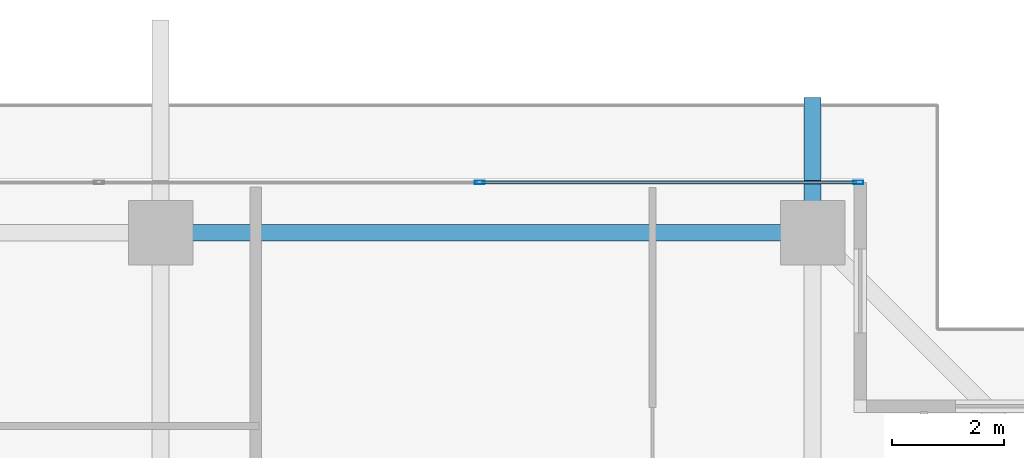
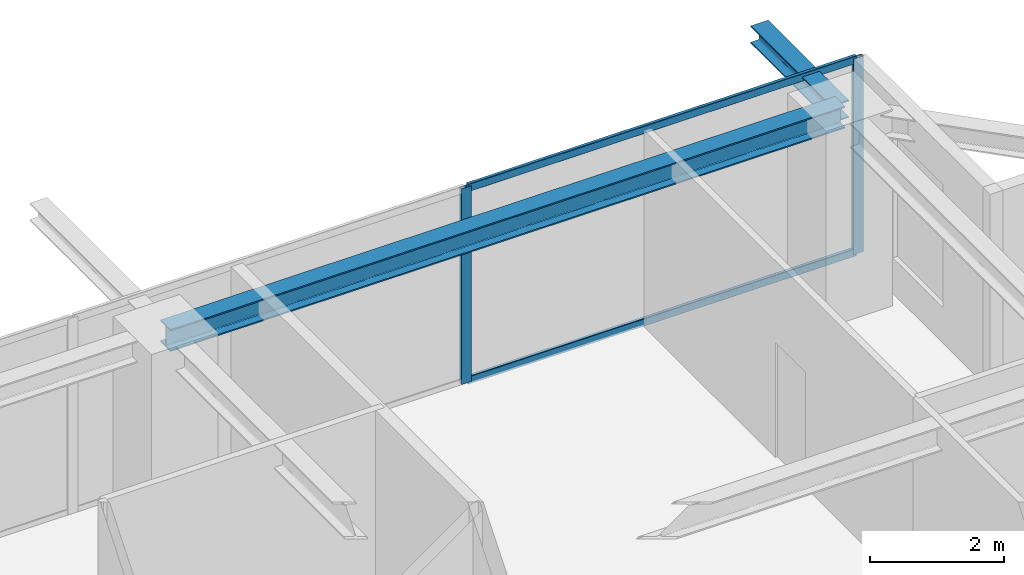
# One storey, part 24 of 38: 4 members, 2 beams, 1 element without a shape of its own.
"""IFC4 building model written with IfcOpenShell, lengths in metres."""

from ifc_helpers import new_model, si_unit, direction, frame, origin, origin_2d, place, context, subcontext, project, spatial, hollow_rectangle, i_section, extrude, source, transform, mapped, material, layer, layer_set, material_profile, profile_set, type_object, element, aggregate, save


model = new_model("IFC4")

# Units and contexts
model_context = context("Model", 3, precision=1e-05, world=origin(), true_north=direction((0.0, 1.0)))
body_context = subcontext(model_context, "Body", "Model", "MODEL_VIEW")
ifc_project = project(units=[si_unit("LENGTHUNIT", "METRE"), si_unit("AREAUNIT", "SQUARE_METRE"), si_unit("VOLUMEUNIT", "CUBIC_METRE"), si_unit("PLANEANGLEUNIT", "RADIAN"), si_unit("MASSUNIT", "GRAM", prefix="KILO")], contexts=[model_context])

# Site, building, storey
site_placement = place(None, origin())
site = spatial("IfcSite", under=ifc_project, at=site_placement, CompositionType="ELEMENT")
building_placement = place(site_placement, origin())
building = spatial("IfcBuilding", under=site, at=building_placement, Name="Serunith Strait Residences", CompositionType="ELEMENT")
storey_placement = place(building_placement, frame((0.0, 0.0, 245.10009765625)))
storey = spatial("IfcBuildingStorey", under=building, at=storey_placement, Name="L61", CompositionType="ELEMENT", Elevation=245.10009765625)

# Beams
ifc_material_1 = material(Name="Steel S355J2", Category="steel")
ifc_material_profile_1 = material_profile(ifc_material_1, i_section(OverallWidth=0.300048828125, OverallDepth=0.39990234375, WebThickness=0.013427734375, FlangeThickness=0.02392578125, FilletRadius=0.027099609375, at=origin_2d()), Name="HEB 400")
ifc_profile_set_1 = profile_set([ifc_material_profile_1], Name="Steel S355J2")
beam_type_1 = type_object("IfcBeamType", Name="BM-HEB400", PredefinedType="BEAM", material=ifc_profile_set_1)
shared_shape_1 = source(origin(), body_context, "Body", "SweptSolid", [
    extrude(i_section(OverallWidth=0.300048828125, OverallDepth=0.39990234375, WebThickness=0.013427734375, FlangeThickness=0.02392578125, FilletRadius=0.027099609375, at=origin_2d()), origin(), (0.0, 0.0, 1.0), 11.650146484375),
])
beam_1_placement = place(storey_placement, frame((48.550048828125, 48.300048828125, 3.386962890625), z_axis=(-1.0, 0.0, 0.0), x_axis=(0.0, -1.0, 0.0)))
element("IfcBeam", 1, at=beam_1_placement, inside=storey, type_object=beam_type_1, Name="L61 Perimeter Ring Beam 09", PredefinedType="BEAM", context=body_context, shape_type="MappedRepresentation", body=[
    mapped(shared_shape_1, transform((0.0, 0.0, 0.0), scale=1.0)),
])
ifc_material_profile_2 = material_profile(ifc_material_1, i_section(OverallWidth=0.300048828125, OverallDepth=0.320068359375, WebThickness=0.011474609375, FlangeThickness=0.0205078125, FilletRadius=0.027099609375, at=origin_2d()), Name="HEB 320")
ifc_profile_set_2 = profile_set([ifc_material_profile_2], Name="Steel S355J2")
beam_type_2 = type_object("IfcBeamType", Name="BM-HEB320", PredefinedType="BEAM", material=ifc_profile_set_2)
shared_shape_2 = source(origin(), body_context, "Body", "SweptSolid", [
    extrude(i_section(OverallWidth=0.300048828125, OverallDepth=0.320068359375, WebThickness=0.011474609375, FlangeThickness=0.0205078125, FilletRadius=0.027099609375, at=origin_2d()), origin(), (0.0, 0.0, 1.0), 2.413330078125),
])
beam_2_placement = place(storey_placement, frame((48.550048828125, 48.300048828125, 3.39697265625), z_axis=(0.0, 1.0, 0.0), x_axis=(-1.0, 0.0, 0.0)))
element("IfcBeam", 2, at=beam_2_placement, inside=storey, type_object=beam_type_2, Name="L62 Cantilevered Balcony Rib TC-N4", PredefinedType="BEAM", context=body_context, shape_type="MappedRepresentation", body=[
    mapped(shared_shape_2, transform((0.0, 0.0, 0.0), scale=1.0)),
])

# Curtain wall, members
ifc_material_2 = material(Name="Pale-Champagne Anodised Aluminium", Category="aluminium")
ifc_layer = layer(ifc_material_2, 0.199951171875, Name="Pale-Champagne Anodised Aluminium")
ifc_layer_set = layer_set([ifc_layer], Name="Pale-Champagne Anodised Aluminium")
curtain_wall_type = type_object("IfcCurtainWallType", Name="CW-SYS4", PredefinedType="NOTDEFINED", material=ifc_layer_set)
curtain_wall_placement = place(storey_placement, origin())
curtain_wall = element("IfcCurtainWall", 3, at=curtain_wall_placement, inside=storey, type_object=curtain_wall_type, Name="L61 N Unitised Fritted Curtain Wall", PredefinedType="NOTDEFINED")
ifc_material_profile_3 = material_profile(ifc_material_2, hollow_rectangle(XDim=0.06494140625, YDim=0.179931640625, WallThickness=0.00341796875, InnerFilletRadius=0.00537109375, OuterFilletRadius=0.0087890625, at=origin_2d()), Name="ALU 180x65x3.5")
ifc_profile_set_3 = profile_set([ifc_material_profile_3], Name="Pale-Champagne Anodised Aluminium")
member_type_1 = type_object("IfcMemberType", Name="CW-SYS4-MULL", PredefinedType="MULLION", material=ifc_profile_set_3)
shared_shape_3 = source(origin(), body_context, "Body", "SweptSolid", [
    extrude(hollow_rectangle(XDim=0.06494140625, YDim=0.179931640625, WallThickness=0.00341796875, InnerFilletRadius=0.00537109375, OuterFilletRadius=0.0087890625, at=origin_2d()), origin(), (0.0, 0.0, 1.0), 3.574951171875),
])
member_1_placement = place(storey_placement, frame((49.367431640625, 49.199951171875, 0.0), z_axis=(0.0, 0.0, 1.0), x_axis=(0.0, -1.0, 0.0)))
member_1 = element("IfcMember", 4, at=member_1_placement, type_object=member_type_1, Name="CW-4 mullion 1", PredefinedType="MULLION", context=body_context, shape_type="MappedRepresentation", body=[
    mapped(shared_shape_3, transform((0.0, 0.0, 0.0), scale=1.0)),
])
member_2_placement = place(storey_placement, frame((42.60009765625, 49.199951171875, 0.0), z_axis=(0.0, 0.0, 1.0), x_axis=(0.0, -1.0, 0.0)))
member_2 = element("IfcMember", 5, at=member_2_placement, type_object=member_type_1, Name="CW-4 mullion 2", PredefinedType="MULLION", context=body_context, shape_type="MappedRepresentation", body=[
    mapped(shared_shape_3, transform((0.0, 0.0, 0.0), scale=1.0)),
])
ifc_material_profile_4 = material_profile(ifc_material_2, hollow_rectangle(XDim=0.06005859375, YDim=0.139892578125, WallThickness=0.00341796875, InnerFilletRadius=0.00537109375, OuterFilletRadius=0.0087890625, at=origin_2d()), Name="ALU 140x60x3.5")
ifc_profile_set_4 = profile_set([ifc_material_profile_4], Name="Pale-Champagne Anodised Aluminium")
member_type_2 = type_object("IfcMemberType", Name="CW-SYS4-TRAN", PredefinedType="USERDEFINED", material=ifc_profile_set_4)
shared_shape_4 = source(origin(), body_context, "Body", "SweptSolid", [
    extrude(hollow_rectangle(XDim=0.06005859375, YDim=0.139892578125, WallThickness=0.00341796875, InnerFilletRadius=0.00537109375, OuterFilletRadius=0.0087890625, at=origin_2d()), origin(), (0.0, 0.0, 1.0), 6.702392578125),
])
member_3_placement = place(storey_placement, frame((49.3349609375, 49.199951171875, 0.02978515625), z_axis=(-1.0, 0.0, 0.0), x_axis=(0.0, -1.0, 0.0)))
member_3 = element("IfcMember", 6, at=member_3_placement, type_object=member_type_2, Name="CW-4 transom 1.1", ObjectType="TRANSOM", PredefinedType="USERDEFINED", context=body_context, shape_type="MappedRepresentation", body=[
    mapped(shared_shape_4, transform((0.0, 0.0, 0.0), scale=1.0)),
])
member_4_placement = place(storey_placement, frame((49.3349609375, 49.199951171875, 3.544921875), z_axis=(-1.0, 0.0, 0.0), x_axis=(0.0, -1.0, 0.0)))
member_4 = element("IfcMember", 7, at=member_4_placement, type_object=member_type_2, Name="CW-4 transom 1.2", ObjectType="TRANSOM", PredefinedType="USERDEFINED", context=body_context, shape_type="MappedRepresentation", body=[
    mapped(shared_shape_4, transform((0.0, 0.0, 0.0), scale=1.0)),
])
aggregate(curtain_wall, [member_1, member_2, member_3, member_4])

save(model, "model.ifc")
